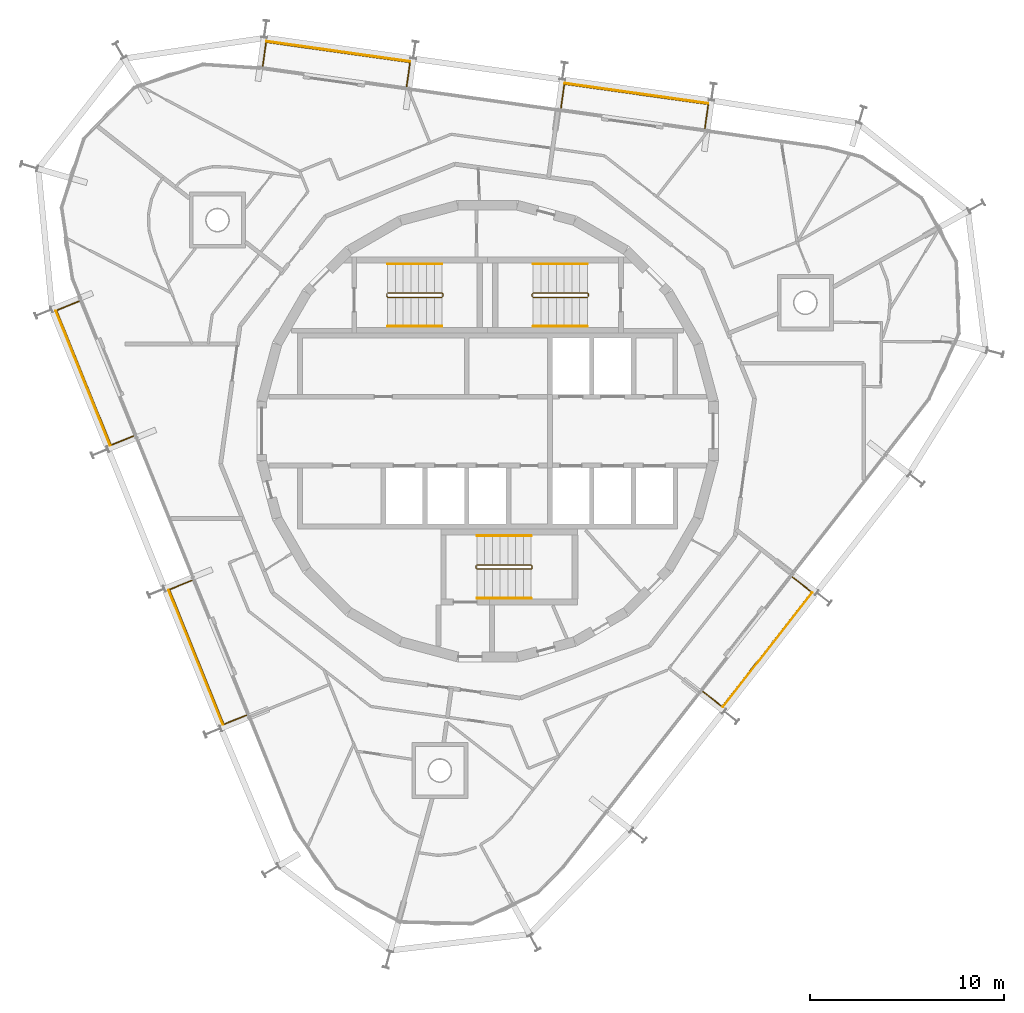
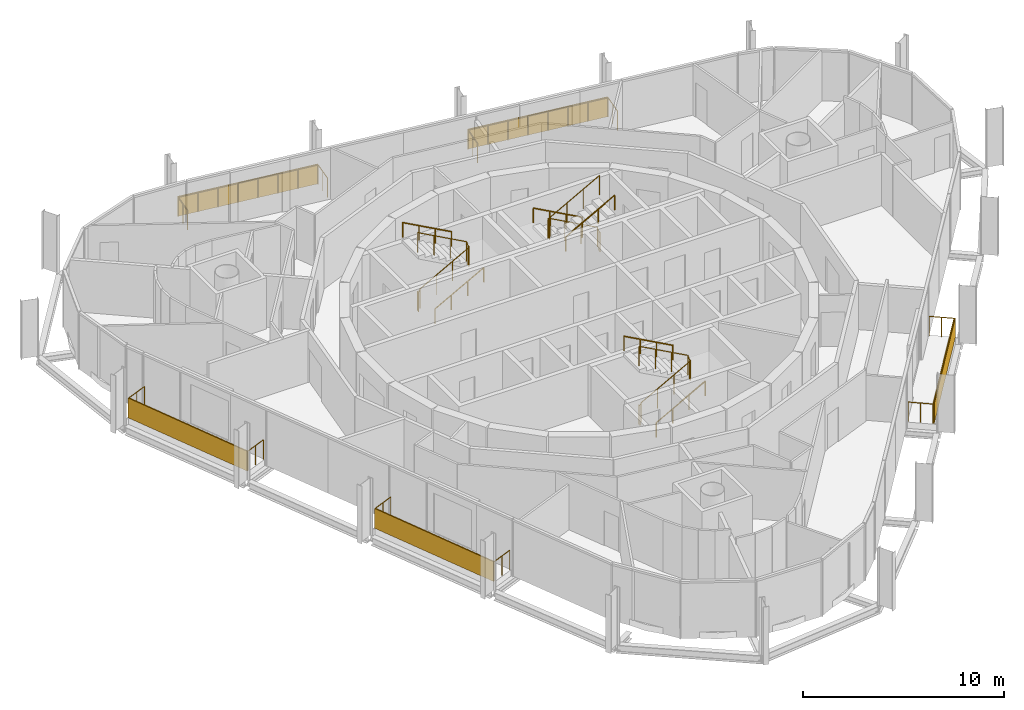
# One storey, part 15 of 15: 14 railings, 5 shading devices.
"""IFC4 building model written with IfcOpenShell, lengths in metres."""

from ifc_helpers import new_model, si_unit, direction, frame, origin, origin_2d, place, context, subcontext, project, spatial, rectangle, circle, extrude, material, layer, layer_set, type_object, element, save


model = new_model("IFC4")

# Units and contexts
model_context = context("Model", 3, precision=1e-05, world=origin(), true_north=direction((0.0, 1.0)))
body_context = subcontext(model_context, "Body", "Model", "MODEL_VIEW")
ifc_project = project(units=[si_unit("LENGTHUNIT", "METRE"), si_unit("AREAUNIT", "SQUARE_METRE"), si_unit("VOLUMEUNIT", "CUBIC_METRE"), si_unit("PLANEANGLEUNIT", "RADIAN"), si_unit("MASSUNIT", "GRAM", prefix="KILO")], contexts=[model_context])

# Site, building, storey
site_placement = place(None, origin())
site = spatial("IfcSite", under=ifc_project, at=site_placement, CompositionType="ELEMENT")
building_placement = place(site_placement, origin())
building = spatial("IfcBuilding", under=site, at=building_placement, Name="Spindle Arch Residences", CompositionType="ELEMENT")
storey_placement = place(building_placement, frame((0.0, 0.0, 350.5)))
storey = spatial("IfcBuildingStorey", under=building, at=storey_placement, Name="L90", CompositionType="ELEMENT", Elevation=350.5)

# Railings
ifc_material_1 = material(Name="Bronze anodised aluminium guard with glass infill", Category="aluminium")
railing_type_1 = type_object("IfcRailingType", Name="Balcony guard 1200", PredefinedType="GUARDRAIL", material=ifc_material_1)
railing_1_placement = place(storey_placement, frame((11.2080078125, 15.62060546875, 0.0)))
element("IfcRailing", 1, at=railing_1_placement, inside=storey, type_object=railing_type_1, Name="Guard L90 bay 6", PredefinedType="GUARDRAIL", context=body_context, shape_type="SweptSolid", body=[
    extrude(circle(Radius=0.02392578125, at=origin_2d()), frame((0.0, 0.0, 1.17578125), z_axis=(0.139069280047, 0.99028265427, 0.0), x_axis=(-0.99028265427, 0.139069280047, 0.0)), (0.0, 0.0, 1.0), 1.25),
    extrude(circle(Radius=0.02392578125, at=origin_2d()), frame((0.173828125, 1.23779296875, 1.17578125), z_axis=(-0.990267453735, 0.139177476887, 0.0), x_axis=(-0.139177476887, -0.990267453735, 0.0)), (0.0, 0.0, 1.0), 7.49560546875),
    extrude(circle(Radius=0.02392578125, at=origin_2d()), frame((-7.248779296875, 2.281005859375, 1.17578125), z_axis=(-0.139260816682, -0.990255737139, 0.0), x_axis=(0.990255737139, -0.139260816682, 0.0)), (0.0, 0.0, 1.0), 1.25),
    extrude(circle(Radius=0.02099609375, at=origin_2d()), origin(), (0.0, 0.0, 1.0), 1.15185546875),
    extrude(circle(Radius=0.02099609375, at=origin_2d()), frame((0.0869140625, 0.618896484375, 0.0)), (0.0, 0.0, 1.0), 1.15185546875),
    extrude(circle(Radius=0.02099609375, at=origin_2d()), frame((0.173828125, 1.23779296875, 0.0)), (0.0, 0.0, 1.0), 1.15185546875),
    extrude(circle(Radius=0.02099609375, at=origin_2d()), frame((-0.886474609375, 1.38671875, 0.0)), (0.0, 0.0, 1.0), 1.15185546875),
    extrude(circle(Radius=0.02099609375, at=origin_2d()), frame((-1.947021484375, 1.535888671875, 0.0)), (0.0, 0.0, 1.0), 1.15185546875),
    extrude(circle(Radius=0.02099609375, at=origin_2d()), frame((-3.00732421875, 1.684814453125, 0.0)), (0.0, 0.0, 1.0), 1.15185546875),
    extrude(circle(Radius=0.02099609375, at=origin_2d()), frame((-4.067626953125, 1.833984375, 0.0)), (0.0, 0.0, 1.0), 1.15185546875),
    extrude(circle(Radius=0.02099609375, at=origin_2d()), frame((-5.1279296875, 1.98291015625, 0.0)), (0.0, 0.0, 1.0), 1.15185546875),
    extrude(circle(Radius=0.02099609375, at=origin_2d()), frame((-6.1884765625, 2.132080078125, 0.0)), (0.0, 0.0, 1.0), 1.15185546875),
    extrude(circle(Radius=0.02099609375, at=origin_2d()), frame((-7.248779296875, 2.281005859375, 0.0)), (0.0, 0.0, 1.0), 1.15185546875),
    extrude(circle(Radius=0.02099609375, at=origin_2d()), frame((-7.3359375, 1.662109375, 0.0)), (0.0, 0.0, 1.0), 1.15185546875),
    extrude(circle(Radius=0.02099609375, at=origin_2d()), frame((-7.4228515625, 1.043212890625, 0.0)), (0.0, 0.0, 1.0), 1.15185546875),
])
railing_2_placement = place(storey_placement, frame((-4.172119140625, 17.7822265625, 0.0)))
element("IfcRailing", 2, at=railing_2_placement, inside=storey, type_object=railing_type_1, Name="Guard L90 bay 8", PredefinedType="GUARDRAIL", context=body_context, shape_type="SweptSolid", body=[
    extrude(circle(Radius=0.02392578125, at=origin_2d()), frame((0.0, 0.0, 1.17578125), z_axis=(0.139260816682, 0.990255737139, 0.0), x_axis=(-0.990255737139, 0.139260816682, 0.0)), (0.0, 0.0, 1.0), 1.25),
    extrude(circle(Radius=0.02392578125, at=origin_2d()), frame((0.174072265625, 1.23779296875, 1.17578125), z_axis=(-0.990268084624, 0.139172987949, 0.0), x_axis=(-0.139172987949, -0.990268084624, 0.0)), (0.0, 0.0, 1.0), 7.495849609375),
    extrude(circle(Radius=0.02392578125, at=origin_2d()), frame((-7.248779296875, 2.281005859375, 1.17578125), z_axis=(-0.13904238586, -0.990286430753, 0.0), x_axis=(0.990286430753, -0.13904238586, 0.0)), (0.0, 0.0, 1.0), 1.250244140625),
    extrude(circle(Radius=0.02099609375, at=origin_2d()), origin(), (0.0, 0.0, 1.0), 1.15185546875),
    extrude(circle(Radius=0.02099609375, at=origin_2d()), frame((0.0869140625, 0.618896484375, 0.0)), (0.0, 0.0, 1.0), 1.15185546875),
    extrude(circle(Radius=0.02099609375, at=origin_2d()), frame((0.174072265625, 1.23779296875, 0.0)), (0.0, 0.0, 1.0), 1.15185546875),
    extrude(circle(Radius=0.02099609375, at=origin_2d()), frame((-0.88623046875, 1.38671875, 0.0)), (0.0, 0.0, 1.0), 1.15185546875),
    extrude(circle(Radius=0.02099609375, at=origin_2d()), frame((-1.94677734375, 1.535888671875, 0.0)), (0.0, 0.0, 1.0), 1.15185546875),
    extrude(circle(Radius=0.02099609375, at=origin_2d()), frame((-3.007080078125, 1.684814453125, 0.0)), (0.0, 0.0, 1.0), 1.15185546875),
    extrude(circle(Radius=0.02099609375, at=origin_2d()), frame((-4.067626953125, 1.833984375, 0.0)), (0.0, 0.0, 1.0), 1.15185546875),
    extrude(circle(Radius=0.02099609375, at=origin_2d()), frame((-5.1279296875, 1.98291015625, 0.0)), (0.0, 0.0, 1.0), 1.15185546875),
    extrude(circle(Radius=0.02099609375, at=origin_2d()), frame((-6.1884765625, 2.132080078125, 0.0)), (0.0, 0.0, 1.0), 1.15185546875),
    extrude(circle(Radius=0.02099609375, at=origin_2d()), frame((-7.248779296875, 2.281005859375, 0.0)), (0.0, 0.0, 1.0), 1.15185546875),
    extrude(circle(Radius=0.02099609375, at=origin_2d()), frame((-7.335693359375, 1.662109375, 0.0)), (0.0, 0.0, 1.0), 1.15185546875),
    extrude(circle(Radius=0.02099609375, at=origin_2d()), frame((-7.422607421875, 1.04296875, 0.0)), (0.0, 0.0, 1.0), 1.15185546875),
])
railing_3_placement = place(storey_placement, frame((-21.071044921875, 6.696044921875, 0.0)))
element("IfcRailing", 3, at=railing_3_placement, inside=storey, type_object=railing_type_1, Name="Guard L90 bay 12", PredefinedType="GUARDRAIL", context=body_context, shape_type="SweptSolid", body=[
    extrude(circle(Radius=0.02392578125, at=origin_2d()), frame((0.0, 0.0, 1.17578125), z_axis=(-0.927205321856, -0.374553455627, 0.0), x_axis=(0.374553455627, -0.927205321856, 0.0)), (0.0, 0.0, 1.0), 1.250244140625),
    extrude(circle(Radius=0.02392578125, at=origin_2d()), frame((-1.1591796875, -0.46826171875, 1.17578125), z_axis=(0.374634298501, -0.927172660504, 0.0), x_axis=(0.927172660504, 0.374634298501, 0.0)), (0.0, 0.0, 1.0), 7.49560546875),
    extrude(circle(Radius=0.02392578125, at=origin_2d()), frame((1.64892578125, -7.41796875, 1.17578125), z_axis=(0.927177918056, 0.374621286461, 0.0), x_axis=(-0.374621286461, 0.927177918056, 0.0)), (0.0, 0.0, 1.0), 1.25),
    extrude(circle(Radius=0.02099609375, at=origin_2d()), origin(), (0.0, 0.0, 1.0), 1.15185546875),
    extrude(circle(Radius=0.02099609375, at=origin_2d()), frame((-0.57958984375, -0.234130859375, 0.0)), (0.0, 0.0, 1.0), 1.15185546875),
    extrude(circle(Radius=0.02099609375, at=origin_2d()), frame((-1.1591796875, -0.46826171875, 0.0)), (0.0, 0.0, 1.0), 1.15185546875),
    extrude(circle(Radius=0.02099609375, at=origin_2d()), frame((-0.758056640625, -1.461181640625, 0.0)), (0.0, 0.0, 1.0), 1.15185546875),
    extrude(circle(Radius=0.02099609375, at=origin_2d()), frame((-0.35693359375, -2.453857421875, 0.0)), (0.0, 0.0, 1.0), 1.15185546875),
    extrude(circle(Radius=0.02099609375, at=origin_2d()), frame((0.044189453125, -3.44677734375, 0.0)), (0.0, 0.0, 1.0), 1.15185546875),
    extrude(circle(Radius=0.02099609375, at=origin_2d()), frame((0.445556640625, -4.439453125, 0.0)), (0.0, 0.0, 1.0), 1.15185546875),
    extrude(circle(Radius=0.02099609375, at=origin_2d()), frame((0.8466796875, -5.432373046875, 0.0)), (0.0, 0.0, 1.0), 1.15185546875),
    extrude(circle(Radius=0.02099609375, at=origin_2d()), frame((1.247802734375, -6.425048828125, 0.0)), (0.0, 0.0, 1.0), 1.15185546875),
    extrude(circle(Radius=0.02099609375, at=origin_2d()), frame((1.64892578125, -7.41796875, 0.0)), (0.0, 0.0, 1.0), 1.15185546875),
    extrude(circle(Radius=0.02099609375, at=origin_2d()), frame((2.228515625, -7.183837890625, 0.0)), (0.0, 0.0, 1.0), 1.15185546875),
    extrude(circle(Radius=0.02099609375, at=origin_2d()), frame((2.807861328125, -6.94970703125, 0.0)), (0.0, 0.0, 1.0), 1.15185546875),
])
railing_4_placement = place(storey_placement, frame((-15.253173828125, -7.7041015625, 0.0)))
element("IfcRailing", 4, at=railing_4_placement, inside=storey, type_object=railing_type_1, Name="Guard L90 bay 14", PredefinedType="GUARDRAIL", context=body_context, shape_type="SweptSolid", body=[
    extrude(circle(Radius=0.02392578125, at=origin_2d()), frame((0.0, 0.0, 1.17578125), z_axis=(-0.927177918056, -0.374621286461, 0.0), x_axis=(0.374621286461, -0.927177918056, 0.0)), (0.0, 0.0, 1.0), 1.25),
    extrude(circle(Radius=0.02392578125, at=origin_2d()), frame((-1.158935546875, -0.46826171875, 1.17578125), z_axis=(0.374594985402, -0.927188544424, 0.0), x_axis=(0.927188544424, 0.374594985402, 0.0)), (0.0, 0.0, 1.0), 7.49560546875),
    extrude(circle(Radius=0.02392578125, at=origin_2d()), frame((1.64892578125, -7.418212890625, 1.17578125), z_axis=(0.927205321856, 0.374553455627, 0.0), x_axis=(-0.374553455627, 0.927205321856, 0.0)), (0.0, 0.0, 1.0), 1.250244140625),
    extrude(circle(Radius=0.02099609375, at=origin_2d()), origin(), (0.0, 0.0, 1.0), 1.15185546875),
    extrude(circle(Radius=0.02099609375, at=origin_2d()), frame((-0.57958984375, -0.234130859375, 0.0)), (0.0, 0.0, 1.0), 1.15185546875),
    extrude(circle(Radius=0.02099609375, at=origin_2d()), frame((-1.158935546875, -0.46826171875, 0.0)), (0.0, 0.0, 1.0), 1.15185546875),
    extrude(circle(Radius=0.02099609375, at=origin_2d()), frame((-0.7578125, -1.461181640625, 0.0)), (0.0, 0.0, 1.0), 1.15185546875),
    extrude(circle(Radius=0.02099609375, at=origin_2d()), frame((-0.356689453125, -2.453857421875, 0.0)), (0.0, 0.0, 1.0), 1.15185546875),
    extrude(circle(Radius=0.02099609375, at=origin_2d()), frame((0.04443359375, -3.44677734375, 0.0)), (0.0, 0.0, 1.0), 1.15185546875),
    extrude(circle(Radius=0.02099609375, at=origin_2d()), frame((0.445556640625, -4.439697265625, 0.0)), (0.0, 0.0, 1.0), 1.15185546875),
    extrude(circle(Radius=0.02099609375, at=origin_2d()), frame((0.8466796875, -5.4326171875, 0.0)), (0.0, 0.0, 1.0), 1.15185546875),
    extrude(circle(Radius=0.02099609375, at=origin_2d()), frame((1.247802734375, -6.42529296875, 0.0)), (0.0, 0.0, 1.0), 1.15185546875),
    extrude(circle(Radius=0.02099609375, at=origin_2d()), frame((1.64892578125, -7.418212890625, 0.0)), (0.0, 0.0, 1.0), 1.15185546875),
    extrude(circle(Radius=0.02099609375, at=origin_2d()), frame((2.228515625, -7.18408203125, 0.0)), (0.0, 0.0, 1.0), 1.15185546875),
    extrude(circle(Radius=0.02099609375, at=origin_2d()), frame((2.80810546875, -6.949951171875, 0.0)), (0.0, 0.0, 1.0), 1.15185546875),
])
railing_5_placement = place(storey_placement, frame((11.111328125, -13.43701171875, 0.0)))
element("IfcRailing", 5, at=railing_5_placement, inside=storey, type_object=railing_type_1, Name="Guard L90 bay 20", PredefinedType="GUARDRAIL", context=body_context, shape_type="SweptSolid", body=[
    extrude(circle(Radius=0.02392578125, at=origin_2d()), frame((0.0, 0.0, 1.17578125), z_axis=(0.787982912033, -0.615697109254, 0.0), x_axis=(0.615697109254, 0.787982912033, 0.0)), (0.0, 0.0, 1.0), 1.249755859375),
    extrude(circle(Radius=0.02392578125, at=origin_2d()), frame((0.98486328125, -0.76953125, 1.17578125), z_axis=(0.615668692597, 0.788005114803, 0.0), x_axis=(-0.788005114803, 0.615668692597, 0.0)), (0.0, 0.0, 1.0), 7.49560546875),
    extrude(circle(Radius=0.02392578125, at=origin_2d()), frame((5.599609375, 5.136962890625, 1.17578125), z_axis=(-0.788056943247, 0.61560235071, 0.0), x_axis=(-0.61560235071, -0.788056943247, 0.0)), (0.0, 0.0, 1.0), 1.25),
    extrude(circle(Radius=0.02099609375, at=origin_2d()), origin(), (0.0, 0.0, 1.0), 1.15185546875),
    extrude(circle(Radius=0.02099609375, at=origin_2d()), frame((0.492431640625, -0.384765625, 0.0)), (0.0, 0.0, 1.0), 1.15185546875),
    extrude(circle(Radius=0.02099609375, at=origin_2d()), frame((0.98486328125, -0.76953125, 0.0)), (0.0, 0.0, 1.0), 1.15185546875),
    extrude(circle(Radius=0.02099609375, at=origin_2d()), frame((1.64404296875, 0.07421875, 0.0)), (0.0, 0.0, 1.0), 1.15185546875),
    extrude(circle(Radius=0.02099609375, at=origin_2d()), frame((2.303466796875, 0.91796875, 0.0)), (0.0, 0.0, 1.0), 1.15185546875),
    extrude(circle(Radius=0.02099609375, at=origin_2d()), frame((2.962646484375, 1.76171875, 0.0)), (0.0, 0.0, 1.0), 1.15185546875),
    extrude(circle(Radius=0.02099609375, at=origin_2d()), frame((3.621826171875, 2.605712890625, 0.0)), (0.0, 0.0, 1.0), 1.15185546875),
    extrude(circle(Radius=0.02099609375, at=origin_2d()), frame((4.281005859375, 3.449462890625, 0.0)), (0.0, 0.0, 1.0), 1.15185546875),
    extrude(circle(Radius=0.02099609375, at=origin_2d()), frame((4.9404296875, 4.293212890625, 0.0)), (0.0, 0.0, 1.0), 1.15185546875),
    extrude(circle(Radius=0.02099609375, at=origin_2d()), frame((5.599609375, 5.136962890625, 0.0)), (0.0, 0.0, 1.0), 1.15185546875),
    extrude(circle(Radius=0.02099609375, at=origin_2d()), frame((5.10693359375, 5.521728515625, 0.0)), (0.0, 0.0, 1.0), 1.15185546875),
    extrude(circle(Radius=0.02099609375, at=origin_2d()), frame((4.614501953125, 5.906494140625, 0.0)), (0.0, 0.0, 1.0), 1.15185546875),
])

# Shading devices
ifc_material_2 = material(Name="Bronze perforated cobogo screen")
ifc_layer = layer(ifc_material_2, 0.0390625)
ifc_layer_set = layer_set([ifc_layer], Name="Cobogo screen 1200")
shading_device_type = type_object("IfcShadingDeviceType", Name="Cobogo screen 1200", PredefinedType="USERDEFINED", material=ifc_layer_set)
for number, where, z_axis, x_axis, name in (
    (6, (7.67626953125, 17.420166015625, 0.0), (0.0, 0.0, 1.0), (-0.990268068742, 0.13917310096, 0.0), "Cobogo screen L90 bay 6"),
    (7, (-7.703857421875, 19.58154296875, 0.0), (0.0, 0.0, 1.0), (-0.990268068742, 0.13917310096, 0.0), "Cobogo screen L90 bay 8"),
    (8, (-20.86376953125, 2.73779296875, 0.0), (0.0, 0.0, 1.0), (0.374606593416, -0.927183854567, 0.0), "Cobogo screen L90 bay 12"),
    (9, (-15.045654296875, -11.662353515625, 0.0), (0.0, 0.0, 1.0), (0.374606593416, -0.927183854567, 0.0), "Cobogo screen L90 bay 14"),
    (10, (14.435546875, -11.2783203125, 0.0), (0.0, 0.0, 1.0), (0.615661475326, 0.788010753607, 0.0), "Cobogo screen L90 bay 20"),
):
    element("IfcShadingDevice", number, at=place(storey_placement, frame(where, z_axis=z_axis, x_axis=x_axis)), inside=storey, type_object=shading_device_type, Name=name, ObjectType="SCREEN", PredefinedType="USERDEFINED", context=body_context, shape_type="SweptSolid", body=[
        extrude(rectangle(XDim=7.49560546875, YDim=0.0390625, at=origin_2d()), origin(), (0.0, 0.0, 1.0), 1.199951171875),
    ])

# Railings
ifc_material_3 = material(Name="Steel, painted", Category="steel")
railing_type_2 = type_object("IfcRailingType", Name="Stair guard 1100", PredefinedType="GUARDRAIL", material=ifc_material_3)
railing_6_placement = place(storey_placement, frame((5.14990234375, 6.89990234375, 3.5)))
element("IfcRailing", 11, at=railing_6_placement, inside=storey, type_object=railing_type_2, Name="L90 ST1 stair guard 1", PredefinedType="GUARDRAIL", context=body_context, shape_type="SweptSolid", body=[
    extrude(circle(Radius=0.02392578125, at=origin_2d()), frame((0.0, 0.0, 1.17578125), z_axis=(-0.877357048833, 0.0, -0.479838106931), x_axis=(0.0, -1.0, 0.0)), (0.0, 0.0, 1.0), 3.191162109375),
    extrude(circle(Radius=0.02392578125, at=origin_2d()), frame((-2.7998046875, 0.0, -0.35546875), z_axis=(-0.217683172539, 0.217683172539, -0.951434744366), x_axis=(-0.707106781187, -0.707106781187, 0.0)), (0.0, 0.0, 1.0), 0.22998046875),
    extrude(circle(Radius=0.02392578125, at=origin_2d()), frame((-2.849853515625, 0.050048828125, -0.57421875), z_axis=(0.0, 1.0, 0.0), x_axis=(-1.0, 0.0, 0.0)), (0.0, 0.0, 1.0), 0.1201171875),
    extrude(circle(Radius=0.02392578125, at=origin_2d()), frame((-2.849853515625, 0.170166015625, -0.57421875), z_axis=(0.707106781187, 0.707106781187, 0.0), x_axis=(-0.707106781187, 0.707106781187, 0.0)), (0.0, 0.0, 1.0), 0.07080078125),
    extrude(circle(Radius=0.02392578125, at=origin_2d()), frame((-2.7998046875, 0.22021484375, -0.57421875), z_axis=(0.877357048833, 0.0, -0.479838106931), x_axis=(0.0, 1.0, 0.0)), (0.0, 0.0, 1.0), 3.191162109375),
    extrude(circle(Radius=0.02392578125, at=origin_2d()), frame((0.0, 0.22021484375, -2.10546875), z_axis=(0.217683172539, -0.217683172539, -0.951434744366), x_axis=(0.707106781187, 0.707106781187, 0.0)), (0.0, 0.0, 1.0), 0.22998046875),
    extrude(circle(Radius=0.02392578125, at=origin_2d()), frame((0.050048828125, 0.170166015625, -2.32421875), z_axis=(0.0, -1.0, 0.0), x_axis=(1.0, 0.0, 0.0)), (0.0, 0.0, 1.0), 0.1201171875),
    extrude(circle(Radius=0.02099609375, at=origin_2d()), origin(), (0.0, 0.0, 1.0), 1.15185546875),
    extrude(circle(Radius=0.02099609375, at=origin_2d()), frame((-0.933349609375, 0.0, -0.510498046875)), (0.0, 0.0, 1.0), 1.15185546875),
    extrude(circle(Radius=0.02099609375, at=origin_2d()), frame((-1.866455078125, 0.0, -1.020751953125)), (0.0, 0.0, 1.0), 1.15185546875),
    extrude(circle(Radius=0.02099609375, at=origin_2d()), frame((-2.7998046875, 0.0, -1.53125)), (0.0, 0.0, 1.0), 1.15185546875),
    extrude(circle(Radius=0.02099609375, at=origin_2d()), frame((-2.849853515625, 0.050048828125, -1.75)), (0.0, 0.0, 1.0), 1.15185546875),
    extrude(circle(Radius=0.02099609375, at=origin_2d()), frame((-2.849853515625, 0.170166015625, -1.75)), (0.0, 0.0, 1.0), 1.15185546875),
    extrude(circle(Radius=0.02099609375, at=origin_2d()), frame((-2.7998046875, 0.22021484375, -1.75)), (0.0, 0.0, 1.0), 1.15185546875),
    extrude(circle(Radius=0.02099609375, at=origin_2d()), frame((-1.866455078125, 0.22021484375, -2.260498046875)), (0.0, 0.0, 1.0), 1.15185546875),
    extrude(circle(Radius=0.02099609375, at=origin_2d()), frame((-0.933349609375, 0.22021484375, -2.770751953125)), (0.0, 0.0, 1.0), 1.15185546875),
    extrude(circle(Radius=0.02099609375, at=origin_2d()), frame((0.0, 0.22021484375, -3.28125)), (0.0, 0.0, 1.0), 1.15185546875),
    extrude(circle(Radius=0.02099609375, at=origin_2d()), frame((0.050048828125, 0.170166015625, -3.5)), (0.0, 0.0, 1.0), 1.15185546875),
    extrude(circle(Radius=0.02099609375, at=origin_2d()), frame((0.050048828125, 0.050048828125, -3.5)), (0.0, 0.0, 1.0), 1.15185546875),
])
railing_7_placement = place(storey_placement, frame((-5.14990234375, 7.1201171875, 3.5)))
element("IfcRailing", 12, at=railing_7_placement, inside=storey, type_object=railing_type_2, Name="L90 ST2 stair guard 1", PredefinedType="GUARDRAIL", context=body_context, shape_type="SweptSolid", body=[
    extrude(circle(Radius=0.02392578125, at=origin_2d()), frame((0.0, 0.0, 1.17578125), z_axis=(0.877357048833, 0.0, -0.479838106931), x_axis=(0.0, 1.0, 0.0)), (0.0, 0.0, 1.0), 3.191162109375),
    extrude(circle(Radius=0.02392578125, at=origin_2d()), frame((2.7998046875, 0.0, -0.35546875), z_axis=(0.217683172539, -0.217683172539, -0.951434744366), x_axis=(0.707106781187, 0.707106781187, 0.0)), (0.0, 0.0, 1.0), 0.22998046875),
    extrude(circle(Radius=0.02392578125, at=origin_2d()), frame((2.849853515625, -0.050048828125, -0.57421875), z_axis=(0.0, -1.0, 0.0), x_axis=(1.0, 0.0, 0.0)), (0.0, 0.0, 1.0), 0.1201171875),
    extrude(circle(Radius=0.02392578125, at=origin_2d()), frame((2.849853515625, -0.170166015625, -0.57421875), z_axis=(-0.707106781187, -0.707106781187, 0.0), x_axis=(0.707106781187, -0.707106781187, 0.0)), (0.0, 0.0, 1.0), 0.07080078125),
    extrude(circle(Radius=0.02392578125, at=origin_2d()), frame((2.7998046875, -0.22021484375, -0.57421875), z_axis=(-0.877357048833, 0.0, -0.479838106931), x_axis=(0.0, -1.0, 0.0)), (0.0, 0.0, 1.0), 3.191162109375),
    extrude(circle(Radius=0.02392578125, at=origin_2d()), frame((0.0, -0.22021484375, -2.10546875), z_axis=(-0.217683172539, 0.217683172539, -0.951434744366), x_axis=(-0.707106781187, -0.707106781187, 0.0)), (0.0, 0.0, 1.0), 0.22998046875),
    extrude(circle(Radius=0.02392578125, at=origin_2d()), frame((-0.050048828125, -0.170166015625, -2.32421875), z_axis=(0.0, 1.0, 0.0), x_axis=(-1.0, 0.0, 0.0)), (0.0, 0.0, 1.0), 0.1201171875),
    extrude(circle(Radius=0.02099609375, at=origin_2d()), origin(), (0.0, 0.0, 1.0), 1.15185546875),
    extrude(circle(Radius=0.02099609375, at=origin_2d()), frame((0.933349609375, 0.0, -0.510498046875)), (0.0, 0.0, 1.0), 1.15185546875),
    extrude(circle(Radius=0.02099609375, at=origin_2d()), frame((1.866455078125, 0.0, -1.020751953125)), (0.0, 0.0, 1.0), 1.15185546875),
    extrude(circle(Radius=0.02099609375, at=origin_2d()), frame((2.7998046875, 0.0, -1.53125)), (0.0, 0.0, 1.0), 1.15185546875),
    extrude(circle(Radius=0.02099609375, at=origin_2d()), frame((2.849853515625, -0.050048828125, -1.75)), (0.0, 0.0, 1.0), 1.15185546875),
    extrude(circle(Radius=0.02099609375, at=origin_2d()), frame((2.849853515625, -0.170166015625, -1.75)), (0.0, 0.0, 1.0), 1.15185546875),
    extrude(circle(Radius=0.02099609375, at=origin_2d()), frame((2.7998046875, -0.22021484375, -1.75)), (0.0, 0.0, 1.0), 1.15185546875),
    extrude(circle(Radius=0.02099609375, at=origin_2d()), frame((1.866455078125, -0.22021484375, -2.260498046875)), (0.0, 0.0, 1.0), 1.15185546875),
    extrude(circle(Radius=0.02099609375, at=origin_2d()), frame((0.933349609375, -0.22021484375, -2.770751953125)), (0.0, 0.0, 1.0), 1.15185546875),
    extrude(circle(Radius=0.02099609375, at=origin_2d()), frame((0.0, -0.22021484375, -3.28125)), (0.0, 0.0, 1.0), 1.15185546875),
    extrude(circle(Radius=0.02099609375, at=origin_2d()), frame((-0.050048828125, -0.170166015625, -3.5)), (0.0, 0.0, 1.0), 1.15185546875),
    extrude(circle(Radius=0.02099609375, at=origin_2d()), frame((-0.050048828125, -0.050048828125, -3.5)), (0.0, 0.0, 1.0), 1.15185546875),
])
railing_8_placement = place(storey_placement, frame((-0.550048828125, -6.89990234375, 3.5)))
element("IfcRailing", 13, at=railing_8_placement, inside=storey, type_object=railing_type_2, Name="L90 ST3 stair guard 1", PredefinedType="GUARDRAIL", context=body_context, shape_type="SweptSolid", body=[
    extrude(circle(Radius=0.02392578125, at=origin_2d()), frame((0.0, 0.0, 1.17578125), z_axis=(0.877374661878, 0.0, -0.479805901063), x_axis=(0.0, 1.0, 0.0)), (0.0, 0.0, 1.0), 3.19140625),
    extrude(circle(Radius=0.02392578125, at=origin_2d()), frame((2.800048828125, 0.0, -0.35546875), z_axis=(0.217683172539, -0.217683172539, -0.951434744366), x_axis=(0.707106781187, 0.707106781187, 0.0)), (0.0, 0.0, 1.0), 0.22998046875),
    extrude(circle(Radius=0.02392578125, at=origin_2d()), frame((2.85009765625, -0.050048828125, -0.57421875), z_axis=(0.0, -1.0, 0.0), x_axis=(1.0, 0.0, 0.0)), (0.0, 0.0, 1.0), 0.1201171875),
    extrude(circle(Radius=0.02392578125, at=origin_2d()), frame((2.85009765625, -0.170166015625, -0.57421875), z_axis=(-0.707106781187, -0.707106781187, 0.0), x_axis=(0.707106781187, -0.707106781187, 0.0)), (0.0, 0.0, 1.0), 0.07080078125),
    extrude(circle(Radius=0.02392578125, at=origin_2d()), frame((2.800048828125, -0.22021484375, -0.57421875), z_axis=(-0.877374661878, 0.0, -0.479805901063), x_axis=(0.0, -1.0, 0.0)), (0.0, 0.0, 1.0), 3.19140625),
    extrude(circle(Radius=0.02392578125, at=origin_2d()), frame((0.0, -0.22021484375, -2.10546875), z_axis=(-0.217683172539, 0.217683172539, -0.951434744366), x_axis=(-0.707106781187, -0.707106781187, 0.0)), (0.0, 0.0, 1.0), 0.22998046875),
    extrude(circle(Radius=0.02392578125, at=origin_2d()), frame((-0.050048828125, -0.170166015625, -2.32421875), z_axis=(0.0, 1.0, 0.0), x_axis=(-1.0, 0.0, 0.0)), (0.0, 0.0, 1.0), 0.1201171875),
    extrude(circle(Radius=0.02099609375, at=origin_2d()), origin(), (0.0, 0.0, 1.0), 1.15185546875),
    extrude(circle(Radius=0.02099609375, at=origin_2d()), frame((0.933349609375, 0.0, -0.510498046875)), (0.0, 0.0, 1.0), 1.15185546875),
    extrude(circle(Radius=0.02099609375, at=origin_2d()), frame((1.86669921875, 0.0, -1.020751953125)), (0.0, 0.0, 1.0), 1.15185546875),
    extrude(circle(Radius=0.02099609375, at=origin_2d()), frame((2.800048828125, 0.0, -1.53125)), (0.0, 0.0, 1.0), 1.15185546875),
    extrude(circle(Radius=0.02099609375, at=origin_2d()), frame((2.85009765625, -0.050048828125, -1.75)), (0.0, 0.0, 1.0), 1.15185546875),
    extrude(circle(Radius=0.02099609375, at=origin_2d()), frame((2.85009765625, -0.170166015625, -1.75)), (0.0, 0.0, 1.0), 1.15185546875),
    extrude(circle(Radius=0.02099609375, at=origin_2d()), frame((2.800048828125, -0.22021484375, -1.75)), (0.0, 0.0, 1.0), 1.15185546875),
    extrude(circle(Radius=0.02099609375, at=origin_2d()), frame((1.86669921875, -0.22021484375, -2.260498046875)), (0.0, 0.0, 1.0), 1.15185546875),
    extrude(circle(Radius=0.02099609375, at=origin_2d()), frame((0.933349609375, -0.22021484375, -2.770751953125)), (0.0, 0.0, 1.0), 1.15185546875),
    extrude(circle(Radius=0.02099609375, at=origin_2d()), frame((0.0, -0.22021484375, -3.28125)), (0.0, 0.0, 1.0), 1.15185546875),
    extrude(circle(Radius=0.02099609375, at=origin_2d()), frame((-0.050048828125, -0.170166015625, -3.5)), (0.0, 0.0, 1.0), 1.15185546875),
    extrude(circle(Radius=0.02099609375, at=origin_2d()), frame((-0.050048828125, -0.050048828125, -3.5)), (0.0, 0.0, 1.0), 1.15185546875),
])
ifc_material_4 = material(Name="Steel, painted", Category="steel")
railing_type_3 = type_object("IfcRailingType", Name="Stair handrail 900", PredefinedType="HANDRAIL", material=ifc_material_4)
railing_9_placement = place(storey_placement, frame((5.14990234375, 8.6201171875, 0.21875)))
element("IfcRailing", 14, at=railing_9_placement, inside=storey, type_object=railing_type_3, Name="L90 ST1 stair handrail 1", PredefinedType="HANDRAIL", context=body_context, shape_type="SweptSolid", body=[
    extrude(circle(Radius=0.02392578125, at=origin_2d()), frame((0.0, 0.0, 0.8759765625), z_axis=(-0.877357048833, 0.0, 0.479838106931), x_axis=(0.0, -1.0, 0.0)), (0.0, 0.0, 1.0), 3.191162109375),
    extrude(circle(Radius=0.02099609375, at=origin_2d()), origin(), (0.0, 0.0, 1.0), 0.851806640625),
    extrude(circle(Radius=0.02099609375, at=origin_2d()), frame((-0.933349609375, 0.0, 0.510498046875)), (0.0, 0.0, 1.0), 0.851806640625),
    extrude(circle(Radius=0.02099609375, at=origin_2d()), frame((-1.866455078125, 0.0, 1.020751953125)), (0.0, 0.0, 1.0), 0.851806640625),
    extrude(circle(Radius=0.02099609375, at=origin_2d()), frame((-2.7998046875, 0.0, 1.53125)), (0.0, 0.0, 1.0), 0.851806640625),
])
for number, where, name in (
    (15, (2.35009765625, 5.39990234375, 1.96875), "L90 ST1 stair handrail 2"),
    (16, (-5.14990234375, 5.39990234375, 0.21875), "L90 ST2 stair handrail 1"),
):
    element("IfcRailing", number, at=place(storey_placement, frame(where)), inside=storey, type_object=railing_type_3, Name=name, PredefinedType="HANDRAIL", context=body_context, shape_type="SweptSolid", body=[
        extrude(circle(Radius=0.02392578125, at=origin_2d()), frame((0.0, 0.0, 0.8759765625), z_axis=(0.877357048833, 0.0, 0.479838106931), x_axis=(0.0, 1.0, 0.0)), (0.0, 0.0, 1.0), 3.191162109375),
        extrude(circle(Radius=0.02099609375, at=origin_2d()), origin(), (0.0, 0.0, 1.0), 0.851806640625),
        extrude(circle(Radius=0.02099609375, at=origin_2d()), frame((0.933349609375, 0.0, 0.510498046875)), (0.0, 0.0, 1.0), 0.851806640625),
        extrude(circle(Radius=0.02099609375, at=origin_2d()), frame((1.866455078125, 0.0, 1.020751953125)), (0.0, 0.0, 1.0), 0.851806640625),
        extrude(circle(Radius=0.02099609375, at=origin_2d()), frame((2.7998046875, 0.0, 1.53125)), (0.0, 0.0, 1.0), 0.851806640625),
    ])
railing_10_placement = place(storey_placement, frame((-2.35009765625, 8.6201171875, 1.96875)))
element("IfcRailing", 17, at=railing_10_placement, inside=storey, type_object=railing_type_3, Name="L90 ST2 stair handrail 2", PredefinedType="HANDRAIL", context=body_context, shape_type="SweptSolid", body=[
    extrude(circle(Radius=0.02392578125, at=origin_2d()), frame((0.0, 0.0, 0.8759765625), z_axis=(-0.877357048833, 0.0, 0.479838106931), x_axis=(0.0, -1.0, 0.0)), (0.0, 0.0, 1.0), 3.191162109375),
    extrude(circle(Radius=0.02099609375, at=origin_2d()), origin(), (0.0, 0.0, 1.0), 0.851806640625),
    extrude(circle(Radius=0.02099609375, at=origin_2d()), frame((-0.933349609375, 0.0, 0.510498046875)), (0.0, 0.0, 1.0), 0.851806640625),
    extrude(circle(Radius=0.02099609375, at=origin_2d()), frame((-1.866455078125, 0.0, 1.020751953125)), (0.0, 0.0, 1.0), 0.851806640625),
    extrude(circle(Radius=0.02099609375, at=origin_2d()), frame((-2.7998046875, 0.0, 1.53125)), (0.0, 0.0, 1.0), 0.851806640625),
])
railing_11_placement = place(storey_placement, frame((-0.550048828125, -8.6201171875, 0.21875)))
element("IfcRailing", 18, at=railing_11_placement, inside=storey, type_object=railing_type_3, Name="L90 ST3 stair handrail 1", PredefinedType="HANDRAIL", context=body_context, shape_type="SweptSolid", body=[
    extrude(circle(Radius=0.02392578125, at=origin_2d()), frame((0.0, 0.0, 0.8759765625), z_axis=(0.877374661878, 0.0, 0.479805901063), x_axis=(0.0, 1.0, 0.0)), (0.0, 0.0, 1.0), 3.19140625),
    extrude(circle(Radius=0.02099609375, at=origin_2d()), origin(), (0.0, 0.0, 1.0), 0.851806640625),
    extrude(circle(Radius=0.02099609375, at=origin_2d()), frame((0.933349609375, 0.0, 0.510498046875)), (0.0, 0.0, 1.0), 0.851806640625),
    extrude(circle(Radius=0.02099609375, at=origin_2d()), frame((1.86669921875, 0.0, 1.020751953125)), (0.0, 0.0, 1.0), 0.851806640625),
    extrude(circle(Radius=0.02099609375, at=origin_2d()), frame((2.800048828125, 0.0, 1.53125)), (0.0, 0.0, 1.0), 0.851806640625),
])
railing_12_placement = place(storey_placement, frame((2.25, -5.39990234375, 1.96875)))
element("IfcRailing", 19, at=railing_12_placement, inside=storey, type_object=railing_type_3, Name="L90 ST3 stair handrail 2", PredefinedType="HANDRAIL", context=body_context, shape_type="SweptSolid", body=[
    extrude(circle(Radius=0.02392578125, at=origin_2d()), frame((0.0, 0.0, 0.8759765625), z_axis=(-0.877374661878, 0.0, 0.479805901063), x_axis=(0.0, -1.0, 0.0)), (0.0, 0.0, 1.0), 3.19140625),
    extrude(circle(Radius=0.02099609375, at=origin_2d()), origin(), (0.0, 0.0, 1.0), 0.851806640625),
    extrude(circle(Radius=0.02099609375, at=origin_2d()), frame((-0.933349609375, 0.0, 0.510498046875)), (0.0, 0.0, 1.0), 0.851806640625),
    extrude(circle(Radius=0.02099609375, at=origin_2d()), frame((-1.86669921875, 0.0, 1.020751953125)), (0.0, 0.0, 1.0), 0.851806640625),
    extrude(circle(Radius=0.02099609375, at=origin_2d()), frame((-2.800048828125, 0.0, 1.53125)), (0.0, 0.0, 1.0), 0.851806640625),
])

save(model, "model.ifc")
